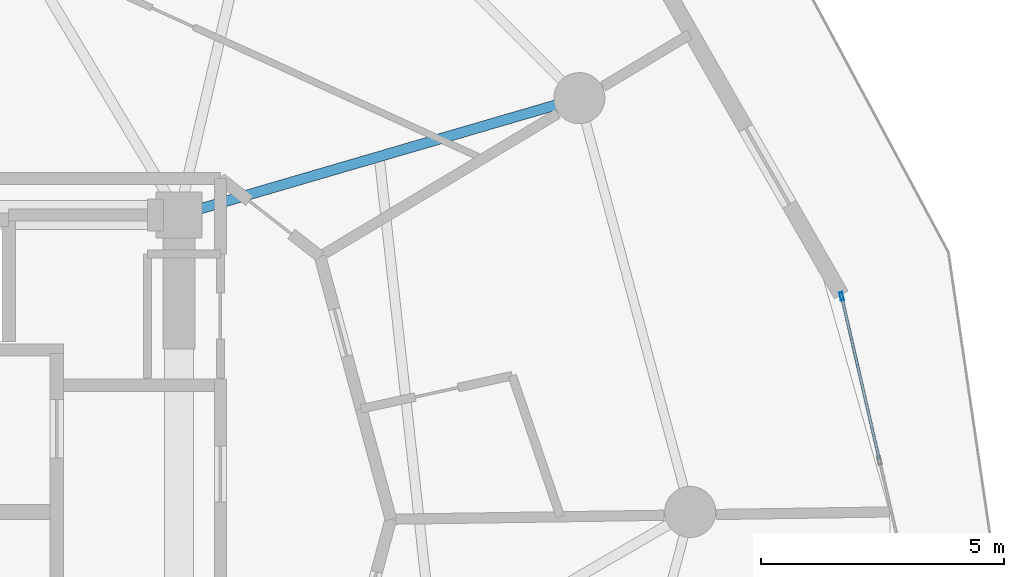
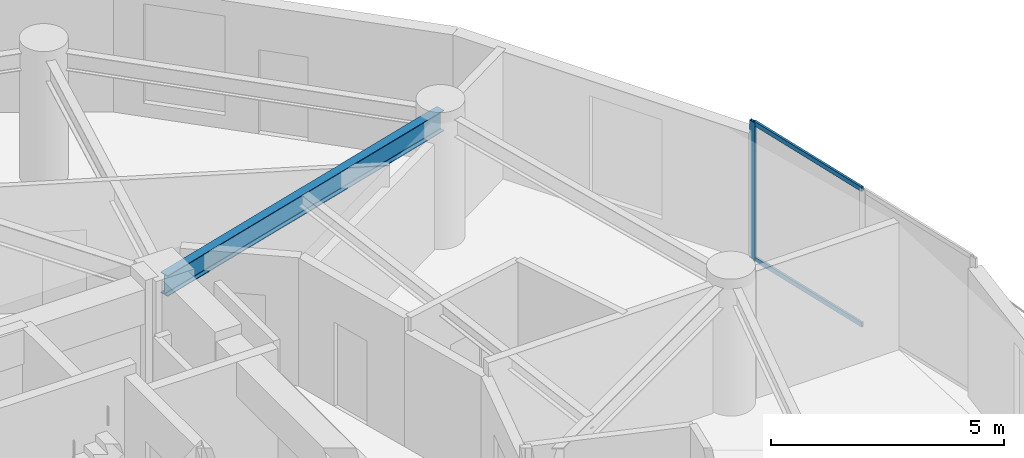
# One storey, part 14 of 25: 3 members, 1 beam, 1 element without a shape of its own.
"""IFC4 building model written with IfcOpenShell, lengths in metres."""

from ifc_helpers import new_model, si_unit, direction, frame, origin, origin_2d, place, context, subcontext, project, spatial, hollow_rectangle, i_section, extrude, source, transform, mapped, material, layer, layer_set, material_profile, profile_set, type_object, element, aggregate, save


model = new_model("IFC4")

# Units and contexts
model_context = context("Model", 3, precision=1e-05, world=origin(), true_north=direction((0.0, 1.0)))
body_context = subcontext(model_context, "Body", "Model", "MODEL_VIEW")
ifc_project = project(units=[si_unit("LENGTHUNIT", "METRE"), si_unit("AREAUNIT", "SQUARE_METRE"), si_unit("VOLUMEUNIT", "CUBIC_METRE"), si_unit("PLANEANGLEUNIT", "RADIAN"), si_unit("MASSUNIT", "GRAM", prefix="KILO")], contexts=[model_context])

# Site, building, storey
site_placement = place(None, origin())
site = spatial("IfcSite", under=ifc_project, at=site_placement, CompositionType="ELEMENT")
building_placement = place(site_placement, origin())
building = spatial("IfcBuilding", under=site, at=building_placement, Name="Solvirekh Grand Hotel", CompositionType="ELEMENT")
storey_placement = place(building_placement, frame((0.0, 0.0, 124.199951171875)))
storey = spatial("IfcBuildingStorey", under=building, at=storey_placement, Name="L31", CompositionType="ELEMENT", Elevation=124.199951171875)

# Beam
ifc_material_1 = material(Name="Steel S355", Category="steel")
ifc_material_profile_1 = material_profile(ifc_material_1, i_section(OverallWidth=0.2119140625, OverallDepth=0.5439453125, WebThickness=0.011962890625, FlangeThickness=0.01904296875, FilletRadius=0.013916015625, at=origin_2d()), Name="W530X123")
ifc_profile_set_1 = profile_set([ifc_material_profile_1], Name="Steel S355")
beam_type = type_object("IfcBeamType", Name="Beam_Radial_W530H", PredefinedType="BEAM", material=ifc_profile_set_1)
beam_placement = place(storey_placement, frame((6.5, 6.10009765625, 3.078125), z_axis=(0.959942195467, 0.28019811092, 0.0), x_axis=(-0.28019811092, 0.959942195467, 0.0)))
element("IfcBeam", 1, at=beam_placement, inside=storey, type_object=beam_type, Name="L31 radial floor beam R02", PredefinedType="BEAM", context=body_context, shape_type="SweptSolid", body=[
    extrude(i_section(OverallWidth=0.2119140625, OverallDepth=0.5439453125, WebThickness=0.011962890625, FlangeThickness=0.01904296875, FilletRadius=0.013916015625, at=origin_2d()), origin(), (0.0, 0.0, 1.0), 8.56494140625),
])

# Curtain wall, members
ifc_material_2 = material(Name="Anodized Bronze Aluminium 6063-T6", Category="aluminium")
ifc_layer = layer(ifc_material_2, 0.175048828125)
ifc_layer_set = layer_set([ifc_layer], Name="Anodized Bronze Aluminium 6063-T6")
curtain_wall_type = type_object("IfcCurtainWallType", Name="CW_Sys3_MidZoneFlushBronzeCW", PredefinedType="NOTDEFINED", material=ifc_layer_set)
curtain_wall_placement = place(storey_placement, origin())
curtain_wall = element("IfcCurtainWall", 2, at=curtain_wall_placement, inside=storey, type_object=curtain_wall_type, Name="L31 unitised bronze-glass curtain wall CW-L31-C03", PredefinedType="NOTDEFINED")
ifc_material_profile_2 = material_profile(ifc_material_2, hollow_rectangle(XDim=0.054931640625, YDim=0.1201171875, WallThickness=0.00390625, at=origin_2d()), Name="ALU RHS 120X55X4")
ifc_profile_set_2 = profile_set([ifc_material_profile_2], Name="Anodized Bronze Aluminium 6063-T6")
member_type_1 = type_object("IfcMemberType", Name="CWTransom_Sys3", PredefinedType="USERDEFINED", material=ifc_profile_set_2)
shared_shape_1 = source(origin(), body_context, "Body", "SweptSolid", [
    extrude(hollow_rectangle(XDim=0.054931640625, YDim=0.1201171875, WallThickness=0.00390625, at=origin_2d()), origin(), (0.0, 0.0, 1.0), 3.397216796875),
])
member_1_placement = place(storey_placement, frame((20.881591796875, 1.087646484375, 0.027587890625), z_axis=(-0.225148161778, 0.974324537948, 0.0), x_axis=(-0.974324537948, -0.225148161778, 0.0)))
member_1 = element("IfcMember", 3, at=member_1_placement, type_object=member_type_1, Name="U03 transom 2.1", ObjectType="TRANSOM", PredefinedType="USERDEFINED", context=body_context, shape_type="MappedRepresentation", body=[
    mapped(shared_shape_1, transform((0.0, 0.0, 0.0), x_axis=(1.0, 0.0, 0.0), y_axis=(0.0, 1.0, 0.0), z_axis=(0.0, 0.0, 1.0), scale=1.0)),
])
member_2_placement = place(storey_placement, frame((20.881591796875, 1.087646484375, 3.572509765625), z_axis=(-0.225148161778, 0.974324537948, 0.0), x_axis=(-0.974324537948, -0.225148161778, 0.0)))
member_2 = element("IfcMember", 4, at=member_2_placement, type_object=member_type_1, Name="U03 transom 2.2", ObjectType="TRANSOM", PredefinedType="USERDEFINED", context=body_context, shape_type="MappedRepresentation", body=[
    mapped(shared_shape_1, transform((0.0, 0.0, 0.0), x_axis=(1.0, 0.0, 0.0), y_axis=(0.0, 1.0, 0.0), z_axis=(0.0, 0.0, 1.0), scale=1.0)),
])
ifc_material_profile_3 = material_profile(ifc_material_2, hollow_rectangle(XDim=0.06494140625, YDim=0.175048828125, WallThickness=0.0048828125, at=origin_2d()), Name="ALU RHS 175X65X5")
ifc_profile_set_3 = profile_set([ifc_material_profile_3], Name="Anodized Bronze Aluminium 6063-T6")
member_type_2 = type_object("IfcMemberType", Name="CWMullion_Sys3", PredefinedType="MULLION", material=ifc_profile_set_3)
shared_shape_2 = source(origin(), body_context, "Body", "SweptSolid", [
    extrude(hollow_rectangle(XDim=0.06494140625, YDim=0.175048828125, WallThickness=0.0048828125, at=origin_2d()), origin(), (0.0, 0.0, 1.0), 3.60009765625),
])
member_3_placement = place(storey_placement, frame((20.109375, 4.429443359375, 0.0), z_axis=(0.0, 0.0, 1.0), x_axis=(-0.974313976399, -0.225193861801, 0.0)))
member_3 = element("IfcMember", 5, at=member_3_placement, type_object=member_type_2, Name="U03 mullion 3", PredefinedType="MULLION", context=body_context, shape_type="MappedRepresentation", body=[
    mapped(shared_shape_2, transform((0.0, 0.0, 0.0), x_axis=(1.0, 0.0, 0.0), y_axis=(0.0, 1.0, 0.0), z_axis=(0.0, 0.0, 1.0), scale=1.0)),
])
aggregate(curtain_wall, [member_3, member_1, member_2])

save(model, "model.ifc")
